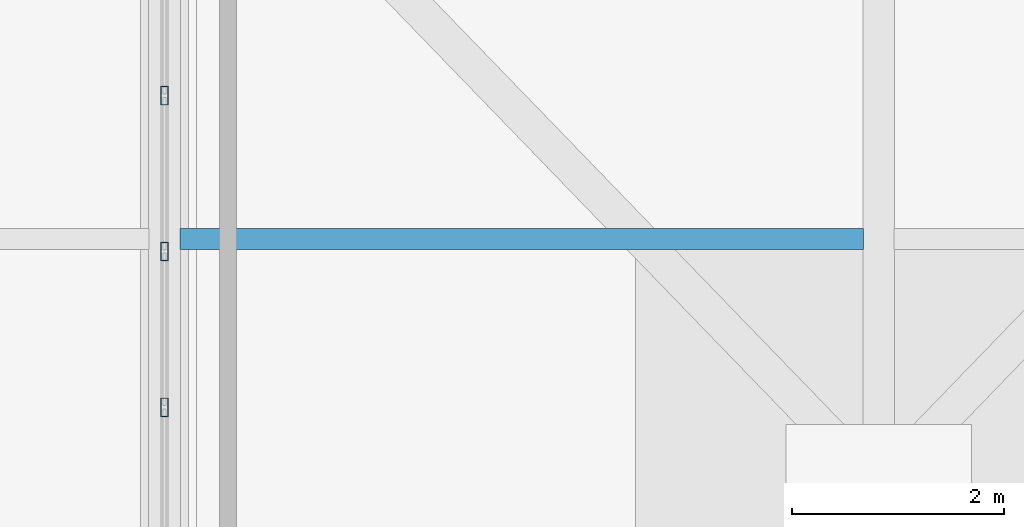
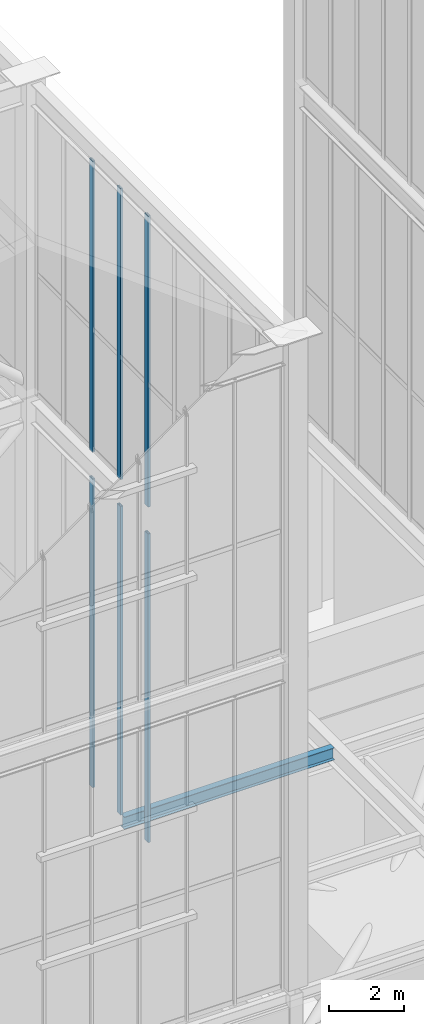
# One storey, part 15 of 135: 6 members, 1 beam, 2 elements without a shape of their own.
"""IFC4 building model written with IfcOpenShell, lengths in metres."""

from ifc_helpers import new_model, si_unit, direction, frame, origin, origin_2d, place, context, subcontext, project, spatial, hollow_rectangle, i_section, extrude, source, transform, mapped, material, layer, layer_set, material_profile, profile_set, type_object, element, aggregate, save


model = new_model("IFC4")

# Units and contexts
model_context = context("Model", 3, precision=1e-05, world=origin(), true_north=direction((0.0, 1.0)))
body_context = subcontext(model_context, "Body", "Model", "MODEL_VIEW")
ifc_project = project(units=[si_unit("LENGTHUNIT", "METRE"), si_unit("AREAUNIT", "SQUARE_METRE"), si_unit("VOLUMEUNIT", "CUBIC_METRE"), si_unit("PLANEANGLEUNIT", "RADIAN"), si_unit("MASSUNIT", "GRAM", prefix="KILO")], contexts=[model_context])

# Site, building, storey
site_placement = place(None, origin())
site = spatial("IfcSite", under=ifc_project, at=site_placement, CompositionType="ELEMENT")
building_placement = place(site_placement, origin())
building = spatial("IfcBuilding", under=site, at=building_placement, Name="Giltprow Tower", CompositionType="ELEMENT")
storey_placement = place(building_placement, frame((0.0, 0.0, 352.699951171875)))
storey = spatial("IfcBuildingStorey", under=building, at=storey_placement, Name="L92", CompositionType="ELEMENT", Elevation=352.699951171875)

# Beam
ifc_material_1 = material(Name="Structural steel Q355B", Category="steel")
ifc_material_profile_1 = material_profile(ifc_material_1, i_section(OverallWidth=0.199951171875, OverallDepth=0.39990234375, WebThickness=0.008056640625, FlangeThickness=0.012939453125, at=origin_2d()), Name="HN 400x200x8x13")
ifc_profile_set_1 = profile_set([ifc_material_profile_1], Name="Structural steel Q355B")
beam_type = type_object("IfcBeamType", Name="BM-JOIST-HN400", PredefinedType="JOIST", material=ifc_profile_set_1)
shared_shape_1 = source(origin(), body_context, "Body", "SweptSolid", [
    extrude(i_section(OverallWidth=0.199951171875, OverallDepth=0.39990234375, WebThickness=0.008056640625, FlangeThickness=0.012939453125, at=origin_2d()), origin(), (0.0, 0.0, 1.0), 6.4599609375),
])
beam_placement = place(storey_placement, frame((30.945068359375, 32.800048828125, 5.9599609375), z_axis=(1.0, 0.0, 0.0), x_axis=(0.0, 1.0, 0.0)))
element("IfcBeam", 1, at=beam_placement, inside=storey, type_object=beam_type, Name="L92 Composite Floor Joist 2-2", PredefinedType="JOIST", context=body_context, shape_type="MappedRepresentation", body=[
    mapped(shared_shape_1, transform((0.0, 0.0, 0.0), x_axis=(1.0, 0.0, 0.0), y_axis=(0.0, 1.0, 0.0), z_axis=(0.0, 0.0, 1.0), scale=1.0)),
])

# Curtain wall, members
ifc_material_2 = material(Name="Anodized bronze", Category="metal")
ifc_layer = layer(ifc_material_2, 0.179931640625, Name="Anodized bronze")
ifc_layer_set = layer_set([ifc_layer], Name="Anodized bronze")
curtain_wall_type = type_object("IfcCurtainWallType", Name="CW-CROWN-LANTERN", PredefinedType="NOTDEFINED", material=ifc_layer_set)
curtain_wall_1_placement = place(storey_placement, origin())
curtain_wall_1 = element("IfcCurtainWall", 2, at=curtain_wall_1_placement, inside=storey, type_object=curtain_wall_type, Name="Crown West Lower Lantern Glazing 2", PredefinedType="NOTDEFINED")
ifc_material_profile_2 = material_profile(ifc_material_2, hollow_rectangle(XDim=0.074951171875, YDim=0.179931640625, WallThickness=0.008056640625, at=origin_2d()), Name="RHS 180x75x8")
ifc_profile_set_2 = profile_set([ifc_material_profile_2], Name="Anodized bronze")
member_type = type_object("IfcMemberType", Name="CW-MULLION-180x75", PredefinedType="MULLION", material=ifc_profile_set_2)
shared_shape_2 = source(origin(), body_context, "Body", "SweptSolid", [
    extrude(hollow_rectangle(XDim=0.074951171875, YDim=0.179931640625, WallThickness=0.008056640625, at=origin_2d()), origin(), (0.0, 0.0, 1.0), 10.030029296875),
])
member_1_placement = place(storey_placement, frame((30.800048828125, 31.2109375, 6.35009765625), z_axis=(0.0, 0.0, 1.0), x_axis=(1.0, 0.0, 0.0)))
member_1 = element("IfcMember", 3, at=member_1_placement, type_object=member_type, Name="Crown West Lower Lantern Glazing 2 Mullion 6", PredefinedType="MULLION", context=body_context, shape_type="MappedRepresentation", body=[
    mapped(shared_shape_2, transform((0.0, 0.0, 0.0), x_axis=(1.0, 0.0, 0.0), y_axis=(0.0, 1.0, 0.0), z_axis=(0.0, 0.0, 1.0), scale=1.0)),
])
member_2_placement = place(storey_placement, frame((30.800048828125, 32.68310546875, 6.35009765625), z_axis=(0.0, 0.0, 1.0), x_axis=(1.0, 0.0, 0.0)))
member_2 = element("IfcMember", 4, at=member_2_placement, type_object=member_type, Name="Crown West Lower Lantern Glazing 2 Mullion 7", PredefinedType="MULLION", context=body_context, shape_type="MappedRepresentation", body=[
    mapped(shared_shape_2, transform((0.0, 0.0, 0.0), x_axis=(1.0, 0.0, 0.0), y_axis=(0.0, 1.0, 0.0), z_axis=(0.0, 0.0, 1.0), scale=1.0)),
])
member_3_placement = place(storey_placement, frame((30.800048828125, 34.156005859375, 6.35009765625), z_axis=(0.0, 0.0, 1.0), x_axis=(1.0, 0.0, 0.0)))
member_3 = element("IfcMember", 5, at=member_3_placement, type_object=member_type, Name="Crown West Lower Lantern Glazing 2 Mullion 8", PredefinedType="MULLION", context=body_context, shape_type="MappedRepresentation", body=[
    mapped(shared_shape_2, transform((0.0, 0.0, 0.0), x_axis=(1.0, 0.0, 0.0), y_axis=(0.0, 1.0, 0.0), z_axis=(0.0, 0.0, 1.0), scale=1.0)),
])
aggregate(curtain_wall_1, [member_1, member_2, member_3])

curtain_wall_2_placement = place(storey_placement, origin())
curtain_wall_2 = element("IfcCurtainWall", 6, at=curtain_wall_2_placement, inside=storey, type_object=curtain_wall_type, Name="Crown West Upper Lantern Glazing 2", PredefinedType="NOTDEFINED")
shared_shape_3 = source(origin(), body_context, "Body", "SweptSolid", [
    extrude(hollow_rectangle(XDim=0.074951171875, YDim=0.179931640625, WallThickness=0.008056640625, at=origin_2d()), origin(), (0.0, 0.0, 1.0), 9.45703125),
])
member_4_placement = place(storey_placement, frame((30.800048828125, 31.2109375, 17.25), z_axis=(0.0, 0.0, 1.0), x_axis=(1.0, 0.0, 0.0)))
member_4 = element("IfcMember", 7, at=member_4_placement, type_object=member_type, Name="Crown West Upper Lantern Glazing 2 Mullion 6", PredefinedType="MULLION", context=body_context, shape_type="MappedRepresentation", body=[
    mapped(shared_shape_3, transform((0.0, 0.0, 0.0), x_axis=(1.0, 0.0, 0.0), y_axis=(0.0, 1.0, 0.0), z_axis=(0.0, 0.0, 1.0), scale=1.0)),
])
member_5_placement = place(storey_placement, frame((30.800048828125, 32.68310546875, 17.25), z_axis=(0.0, 0.0, 1.0), x_axis=(1.0, 0.0, 0.0)))
member_5 = element("IfcMember", 8, at=member_5_placement, type_object=member_type, Name="Crown West Upper Lantern Glazing 2 Mullion 7", PredefinedType="MULLION", context=body_context, shape_type="MappedRepresentation", body=[
    mapped(shared_shape_3, transform((0.0, 0.0, 0.0), x_axis=(1.0, 0.0, 0.0), y_axis=(0.0, 1.0, 0.0), z_axis=(0.0, 0.0, 1.0), scale=1.0)),
])
member_6_placement = place(storey_placement, frame((30.800048828125, 34.156005859375, 17.25), z_axis=(0.0, 0.0, 1.0), x_axis=(1.0, 0.0, 0.0)))
member_6 = element("IfcMember", 9, at=member_6_placement, type_object=member_type, Name="Crown West Upper Lantern Glazing 2 Mullion 8", PredefinedType="MULLION", context=body_context, shape_type="MappedRepresentation", body=[
    mapped(shared_shape_3, transform((0.0, 0.0, 0.0), x_axis=(1.0, 0.0, 0.0), y_axis=(0.0, 1.0, 0.0), z_axis=(0.0, 0.0, 1.0), scale=1.0)),
])
aggregate(curtain_wall_2, [member_4, member_5, member_6])

save(model, "model.ifc")
